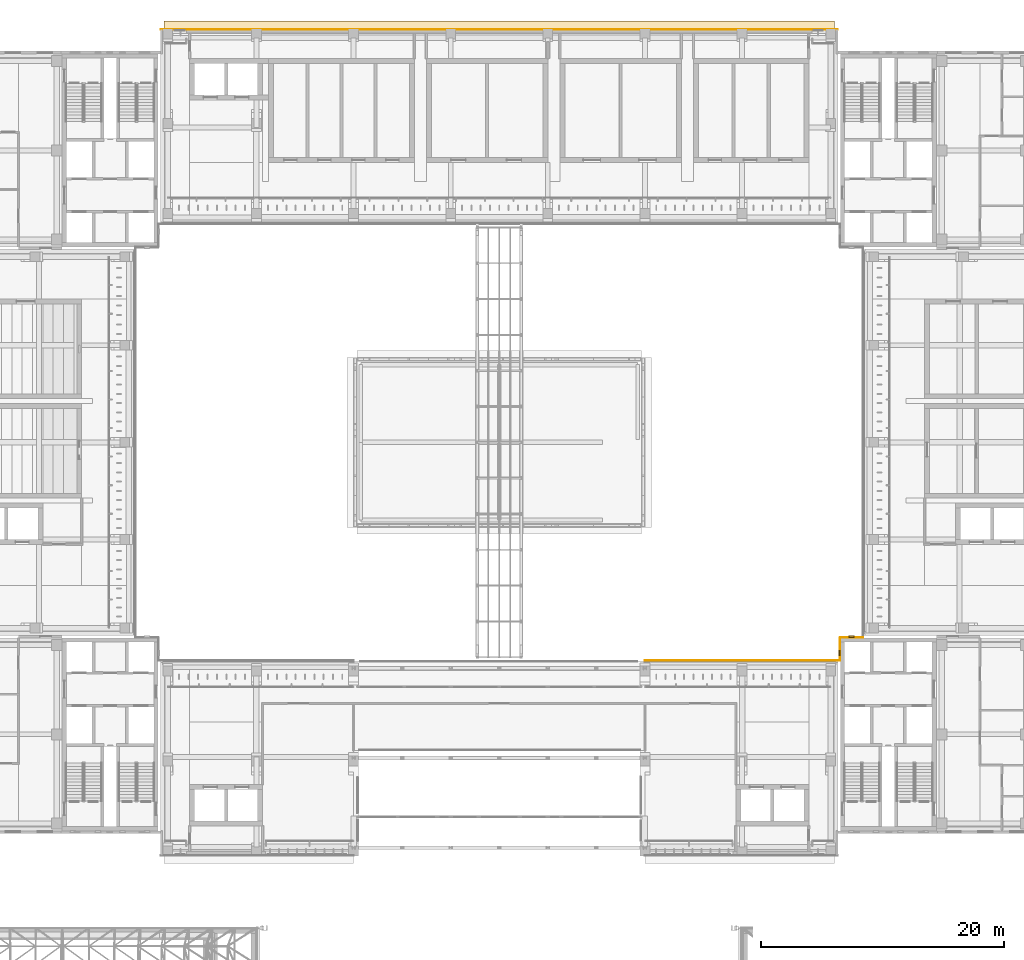
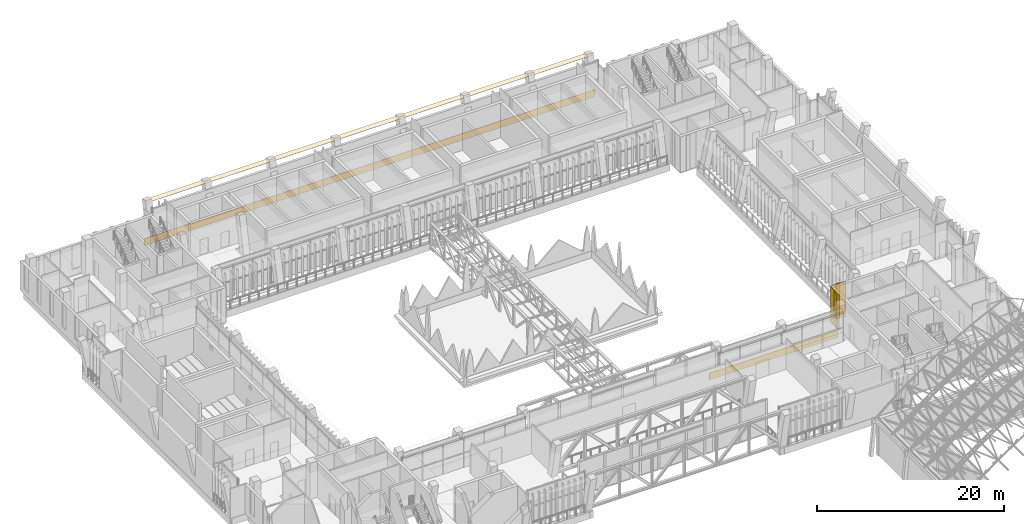
# One storey, part 137 of 141: 7 coverings.
"""IFC4 building model written with IfcOpenShell, lengths in metres."""

from ifc_helpers import new_model, si_unit, direction, frame, frame_2d, origin, place, context, subcontext, project, spatial, rectangle, extrude, material, layer, layer_set, type_object, element, save


model = new_model("IFC4")

# Units and contexts
model_context = context("Model", 3, precision=1e-05, world=origin(), true_north=direction((0.0, 1.0)))
body_context = subcontext(model_context, "Body", "Model", "MODEL_VIEW")
ifc_project = project(units=[si_unit("LENGTHUNIT", "METRE"), si_unit("AREAUNIT", "SQUARE_METRE"), si_unit("VOLUMEUNIT", "CUBIC_METRE"), si_unit("PLANEANGLEUNIT", "RADIAN"), si_unit("MASSUNIT", "GRAM", prefix="KILO")], contexts=[model_context])

# Site, building, storey
site_placement = place(None, origin())
site = spatial("IfcSite", under=ifc_project, at=site_placement, CompositionType="ELEMENT")
building_placement = place(site_placement, origin())
building = spatial("IfcBuilding", under=site, at=building_placement, Name="Lantern Court Media Centre", CompositionType="ELEMENT")
storey_placement = place(building_placement, frame((0.0, 0.0, 9.60009765625)))
storey = spatial("IfcBuildingStorey", under=building, at=storey_placement, Name="L02", CompositionType="ELEMENT", Elevation=9.60009765625)

# Coverings
ifc_material_1 = material(Name="White glass-fibre reinforced cement cladding", Category="concrete")
ifc_layer_1 = layer(ifc_material_1, 0.050048828125)
ifc_layer_set_1 = layer_set([ifc_layer_1], Name="White glass-fibre reinforced cement cladding")
covering_type_1 = type_object("IfcCoveringType", Name="Floor-edge band 50", PredefinedType="CLADDING", material=ifc_layer_set_1)
covering_1_placement = place(storey_placement, frame((64.0, 62.02490234375, -0.900146484375), z_axis=(0.0, 0.0, 1.0), x_axis=(1.0, 0.0, 0.0)))
element("IfcCovering", 1, at=covering_1_placement, inside=storey, type_object=covering_type_1, Name="Floor-edge band S inner L02", PredefinedType="CLADDING", context=body_context, shape_type="SweptSolid", body=[
    extrude(rectangle(XDim=15.89990234375, YDim=0.050048828125, at=frame_2d((7.949951171875, 0.0))), origin(), (0.0, 0.0, 1.0), 0.900146484375),
])
covering_2_placement = place(storey_placement, frame((24.10009765625, 114.02490234375, -0.900146484375), z_axis=(0.0, 0.0, 1.0), x_axis=(1.0, 0.0, 0.0)))
element("IfcCovering", 2, at=covering_2_placement, inside=storey, type_object=covering_type_1, Name="Floor-edge band N outer L02", PredefinedType="CLADDING", context=body_context, shape_type="SweptSolid", body=[
    extrude(rectangle(XDim=55.7998046875, YDim=0.050048828125, at=frame_2d((27.89990234375, 0.0))), origin(), (0.0, 0.0, 1.0), 0.900146484375),
])
ifc_material_2 = material(Name="Honed limestone cladding", Category="masonry")
ifc_layer_2 = layer(ifc_material_2, 0.050048828125)
ifc_layer_set_2 = layer_set([ifc_layer_2], Name="Honed limestone cladding")
covering_type_2 = type_object("IfcCoveringType", Name="Limestone cladding panel 50", PredefinedType="CLADDING", material=ifc_layer_set_2)
for number, where, z_axis, x_axis, name in (
    (3, (80.074951171875, 62.0, 0.0), (0.0, 0.0, 1.0), (0.0, 1.0, 0.0), "Limestone joint cladding S-SE L02"),
    (4, (80.10009765625, 63.925048828125, 0.0), (0.0, 0.0, 1.0), (1.0, 0.0, 0.0), "Limestone joint cladding E-SE L02"),
):
    element("IfcCovering", number, at=place(storey_placement, frame(where, z_axis=z_axis, x_axis=x_axis)), inside=storey, type_object=covering_type_2, Name=name, PredefinedType="CLADDING", context=body_context, shape_type="SweptSolid", body=[
        extrude(rectangle(XDim=1.89990234375, YDim=0.050048828125, at=frame_2d((0.949951171875, 0.0))), origin(), (0.0, 0.0, 1.0), 4.579833984375),
    ])
ifc_layer_3 = layer(ifc_material_2, 0.14990234375)
ifc_layer_set_3 = layer_set([ifc_layer_3], Name="Honed limestone cladding")
covering_type_3 = type_object("IfcCoveringType", Name="Limestone pilaster cladding 150", PredefinedType="CLADDING", material=ifc_layer_set_3)
covering_3_placement = place(storey_placement, frame((80.77490234375, 63.97509765625, 0.0), z_axis=(0.0, 0.0, 1.0), x_axis=(1.0, 0.0, 0.0)))
element("IfcCovering", 5, at=covering_3_placement, inside=storey, type_object=covering_type_3, Name="Limestone pilaster rib", PredefinedType="CLADDING", context=body_context, shape_type="SweptSolid", body=[
    extrude(rectangle(XDim=0.4501953125, YDim=0.14990234375, at=frame_2d((0.22509765625, 0.0))), origin(), (0.0, 0.0, 1.0), 4.579833984375),
])
covering_4_placement = place(storey_placement, frame((80.02490234375, 62.425048828125, 0.0), z_axis=(0.0, 0.0, 1.0), x_axis=(0.0, 1.0, 0.0)))
element("IfcCovering", 6, at=covering_4_placement, inside=storey, type_object=covering_type_3, Name="Limestone pilaster rib", PredefinedType="CLADDING", context=body_context, shape_type="SweptSolid", body=[
    extrude(rectangle(XDim=0.449951171875, YDim=0.14990234375, at=frame_2d((0.22509765625, 0.0))), origin(), (0.0, 0.0, 1.0), 4.579833984375),
])
ifc_material_3 = material(Name="White fibre cement soffit board")
ifc_layer_4 = layer(ifc_material_3, 0.0400390625)
ifc_layer_set_4 = layer_set([ifc_layer_4], Name="White fibre cement soffit board")
covering_type_4 = type_object("IfcCoveringType", Name="Soffit lining 40", PredefinedType="CLADDING", material=ifc_layer_set_4)
covering_5_placement = place(storey_placement, frame((24.39990234375, 114.35009765625, 4.539794921875), z_axis=(0.0, 0.0, 1.0), x_axis=(1.0, 0.0, 0.0)))
element("IfcCovering", 7, at=covering_5_placement, inside=storey, type_object=covering_type_4, Name="Soffit lining N L02", PredefinedType="CLADDING", context=body_context, shape_type="SweptSolid", body=[
    extrude(rectangle(XDim=55.2001953125, YDim=0.699951171875, at=frame_2d((27.60009765625, 0.0))), origin(), (0.0, 0.0, 1.0), 0.0400390625),
])

save(model, "model.ifc")
